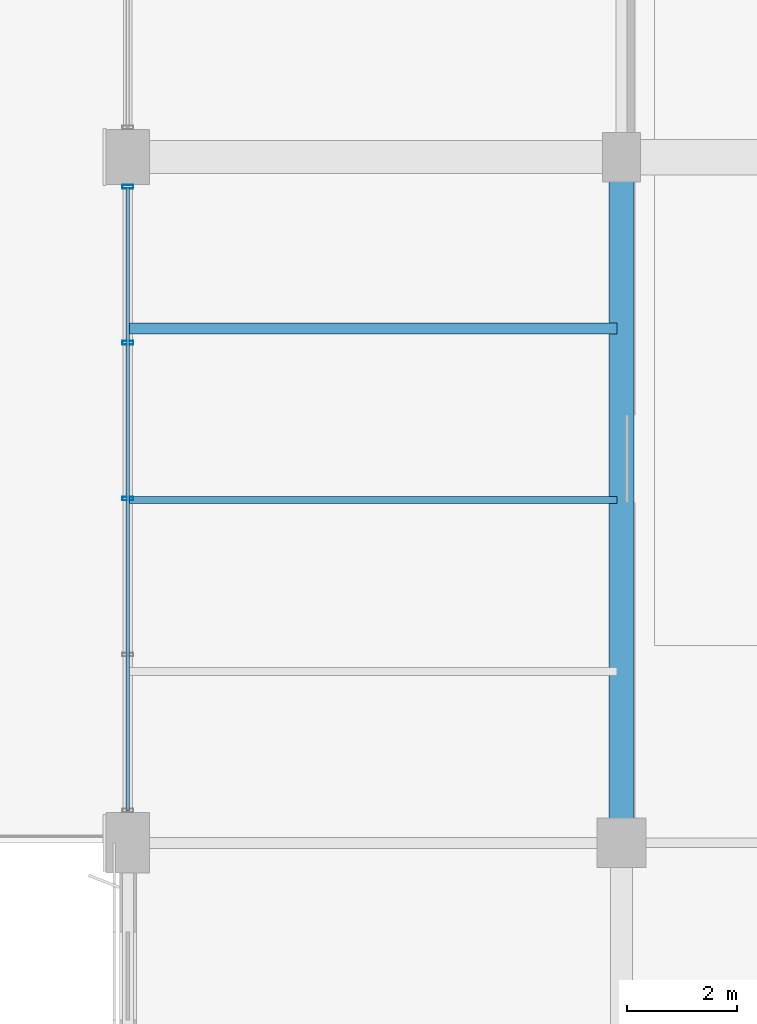
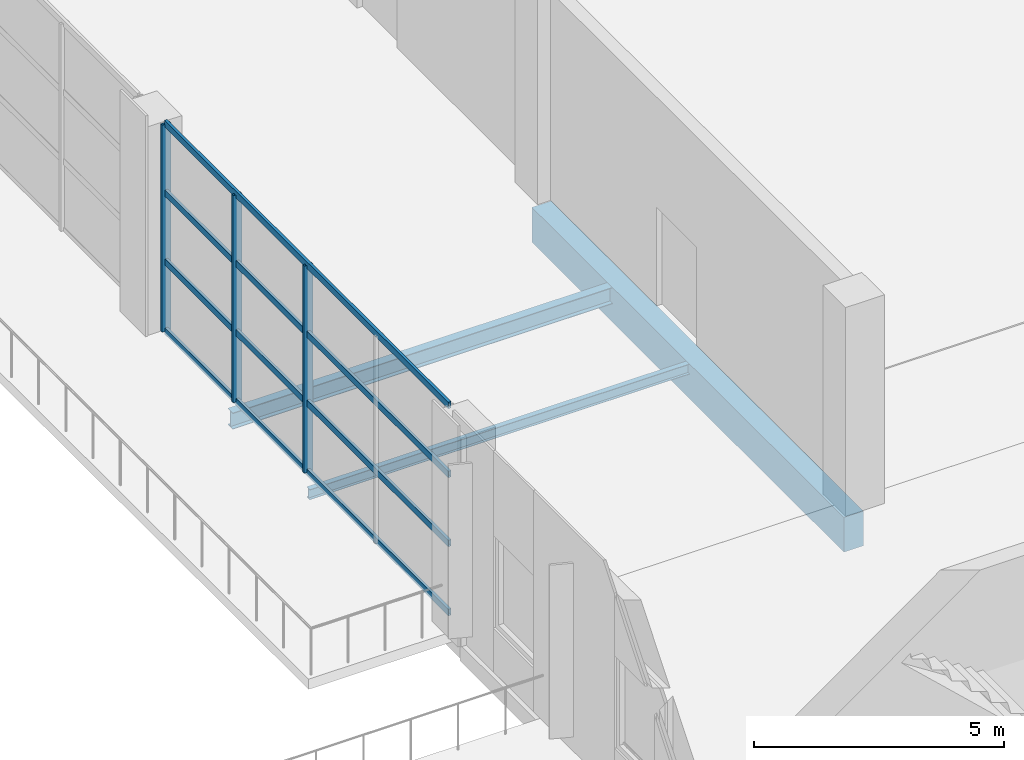
# One storey, part 41 of 90: 7 members, 3 beams, 1 element without a shape of its own.
"""IFC4 building model written with IfcOpenShell, lengths in metres."""

from ifc_helpers import new_model, si_unit, direction, frame, origin, origin_2d, place, context, subcontext, project, spatial, rectangle, hollow_rectangle, i_section, extrude, material, material_profile, profile_set, type_object, element, aggregate, save


model = new_model("IFC4")

# Units and contexts
model_context = context("Model", 3, precision=1e-05, world=origin(), true_north=direction((0.0, 1.0)))
body_context = subcontext(model_context, "Body", "Model", "MODEL_VIEW")
ifc_project = project(units=[si_unit("LENGTHUNIT", "METRE"), si_unit("AREAUNIT", "SQUARE_METRE"), si_unit("VOLUMEUNIT", "CUBIC_METRE"), si_unit("PLANEANGLEUNIT", "RADIAN"), si_unit("MASSUNIT", "GRAM", prefix="KILO")], contexts=[model_context])

# Site, building, storey
site_placement = place(None, origin())
site = spatial("IfcSite", under=ifc_project, at=site_placement, CompositionType="ELEMENT")
building_placement = place(site_placement, origin())
building = spatial("IfcBuilding", under=site, at=building_placement, Name="Solvikara Media Centre", CompositionType="ELEMENT")
storey_placement = place(building_placement, origin())
storey = spatial("IfcBuildingStorey", under=building, at=storey_placement, Name="L00", CompositionType="ELEMENT", Elevation=0.0)

# Beams
ifc_material_1 = material(Name="Concrete fc' 35 MPa (C35/45)", Category="concrete")
ifc_material_profile_1 = material_profile(ifc_material_1, rectangle(XDim=0.449951171875, YDim=0.85009765625, at=origin_2d()), Name="RC 450x850")
ifc_profile_set_1 = profile_set([ifc_material_profile_1], Name="Concrete fc' 35 MPa (C35/45)")
beam_type_1 = type_object("IfcBeamType", Name="BM-14", PredefinedType="SPANDREL", material=ifc_profile_set_1)
beam_1_placement = place(storey_placement, frame((136.5, 46.5, -0.804931640625), z_axis=(0.0, 1.0, 0.0), x_axis=(-1.0, 0.0, 0.0)))
element("IfcBeam", 1, at=beam_1_placement, inside=storey, type_object=beam_type_1, Name="B-L00-Y0206", PredefinedType="SPANDREL", context=body_context, shape_type="SweptSolid", body=[
    extrude(rectangle(XDim=0.449951171875, YDim=0.85009765625, at=origin_2d()), origin(), (0.0, 0.0, 1.0), 12.5),
])
ifc_material_2 = material(Name="Steel S355JR", Category="steel")
ifc_material_profile_2 = material_profile(ifc_material_2, i_section(OverallWidth=0.199951171875, OverallDepth=0.39990234375, WebThickness=0.008056640625, FlangeThickness=0.012939453125, at=origin_2d()), Name="WF 400x200x8x13")
ifc_profile_set_2 = profile_set([ifc_material_profile_2], Name="Steel S355JR")
beam_type_2 = type_object("IfcBeamType", Name="BM-21", PredefinedType="JOIST", material=ifc_profile_set_2)
beam_2_placement = place(storey_placement, frame((127.5, 55.875, -0.58203125), z_axis=(1.0, 0.0, 0.0), x_axis=(0.0, 1.0, 0.0)))
element("IfcBeam", 2, at=beam_2_placement, inside=storey, type_object=beam_type_2, Name="J-L00-0385", PredefinedType="JOIST", context=body_context, shape_type="SweptSolid", body=[
    extrude(i_section(OverallWidth=0.199951171875, OverallDepth=0.39990234375, WebThickness=0.008056640625, FlangeThickness=0.012939453125, at=origin_2d()), origin(), (0.0, 0.0, 1.0), 8.922119140625),
])
ifc_material_profile_3 = material_profile(ifc_material_2, i_section(OverallWidth=0.1240234375, OverallDepth=0.248046875, WebThickness=0.0048828125, FlangeThickness=0.008056640625, at=origin_2d()), Name="WF 248x124x5x8")
ifc_profile_set_3 = profile_set([ifc_material_profile_3], Name="Steel S355JR")
beam_type_3 = type_object("IfcBeamType", Name="BM-40", PredefinedType="JOIST", material=ifc_profile_set_3)
beam_3_placement = place(storey_placement, frame((127.5, 52.75, -0.506103515625), z_axis=(1.0, 0.0, 0.0), x_axis=(0.0, 1.0, 0.0)))
element("IfcBeam", 3, at=beam_3_placement, inside=storey, type_object=beam_type_3, Name="J-L00-0384", PredefinedType="JOIST", context=body_context, shape_type="SweptSolid", body=[
    extrude(i_section(OverallWidth=0.1240234375, OverallDepth=0.248046875, WebThickness=0.0048828125, FlangeThickness=0.008056640625, at=origin_2d()), origin(), (0.0, 0.0, 1.0), 8.922119140625),
])

# Curtain wall, members
ifc_material_3 = material(Name="Anodised aluminium EN AW-6063", Category="aluminium")
curtain_wall_type = type_object("IfcCurtainWallType", Name="CW-11", PredefinedType="NOTDEFINED", material=ifc_material_3)
curtain_wall_placement = place(storey_placement, origin())
curtain_wall = element("IfcCurtainWall", 4, at=curtain_wall_placement, inside=storey, type_object=curtain_wall_type, Name="CW-L00-V2W-1-S1", PredefinedType="NOTDEFINED")
ifc_material_profile_4 = material_profile(ifc_material_3, hollow_rectangle(XDim=0.06494140625, YDim=0.199951171875, WallThickness=0.00390625, at=origin_2d()), Name="ALU-M 65x200x4")
ifc_profile_set_4 = profile_set([ifc_material_profile_4], Name="Anodised aluminium EN AW-6063")
member_type_1 = type_object("IfcMemberType", Name="MF-02", PredefinedType="MULLION", material=ifc_profile_set_4)
member_1_placement = place(storey_placement, frame((127.5, 52.77490234375, 0.02001953125), z_axis=(0.0, 0.0, 1.0), x_axis=(0.0, 1.0, 0.0)))
member_1 = element("IfcMember", 5, at=member_1_placement, type_object=member_type_1, Name="CW-L00-V2W-1-S1-M02", PredefinedType="MULLION", context=body_context, shape_type="SweptSolid", body=[
    extrude(hollow_rectangle(XDim=0.06494140625, YDim=0.199951171875, WallThickness=0.00390625, at=origin_2d()), origin(), (0.0, 0.0, 1.0), 5.06005859375),
])
member_2_placement = place(storey_placement, frame((127.5, 55.616943359375, 0.02001953125), z_axis=(0.0, 0.0, 1.0), x_axis=(0.0, 1.0, 0.0)))
member_2 = element("IfcMember", 6, at=member_2_placement, type_object=member_type_1, Name="CW-L00-V2W-1-S1-M03", PredefinedType="MULLION", context=body_context, shape_type="SweptSolid", body=[
    extrude(hollow_rectangle(XDim=0.06494140625, YDim=0.199951171875, WallThickness=0.00390625, at=origin_2d()), origin(), (0.0, 0.0, 1.0), 5.06005859375),
])
member_3_placement = place(storey_placement, frame((127.5, 58.4599609375, 0.02001953125), z_axis=(0.0, 0.0, 1.0), x_axis=(0.0, 1.0, 0.0)))
member_3 = element("IfcMember", 7, at=member_3_placement, type_object=member_type_1, Name="CW-L00-V2W-1-S1-M04", PredefinedType="MULLION", context=body_context, shape_type="SweptSolid", body=[
    extrude(hollow_rectangle(XDim=0.06494140625, YDim=0.199951171875, WallThickness=0.00390625, at=origin_2d()), origin(), (0.0, 0.0, 1.0), 5.06005859375),
])
ifc_material_profile_5 = material_profile(ifc_material_3, hollow_rectangle(XDim=0.06494140625, YDim=0.159912109375, WallThickness=0.00341796875, at=origin_2d()), Name="ALU-T 65x160x3.5")
ifc_profile_set_5 = profile_set([ifc_material_profile_5], Name="Anodised aluminium EN AW-6063")
member_type_2 = type_object("IfcMemberType", Name="MF-08", PredefinedType="USERDEFINED", material=ifc_profile_set_5)
member_4_placement = place(storey_placement, frame((127.5, 47.090087890625, 0.02001953125), z_axis=(0.0, 1.0, 0.0), x_axis=(-1.0, 0.0, 0.0)))
member_4 = element("IfcMember", 8, at=member_4_placement, type_object=member_type_2, Name="CW-L00-V2W-1-S1-T00", ObjectType="TRANSOM", PredefinedType="USERDEFINED", context=body_context, shape_type="SweptSolid", body=[
    extrude(hollow_rectangle(XDim=0.06494140625, YDim=0.159912109375, WallThickness=0.00341796875, at=origin_2d()), origin(), (0.0, 0.0, 1.0), 11.369873046875),
])
member_5_placement = place(storey_placement, frame((127.5, 47.090087890625, 1.70703125), z_axis=(0.0, 1.0, 0.0), x_axis=(-1.0, 0.0, 0.0)))
member_5 = element("IfcMember", 9, at=member_5_placement, type_object=member_type_2, Name="CW-L00-V2W-1-S1-T01", ObjectType="TRANSOM", PredefinedType="USERDEFINED", context=body_context, shape_type="SweptSolid", body=[
    extrude(hollow_rectangle(XDim=0.06494140625, YDim=0.159912109375, WallThickness=0.00341796875, at=origin_2d()), origin(), (0.0, 0.0, 1.0), 11.369873046875),
])
member_6_placement = place(storey_placement, frame((127.5, 47.090087890625, 3.39306640625), z_axis=(0.0, 1.0, 0.0), x_axis=(-1.0, 0.0, 0.0)))
member_6 = element("IfcMember", 10, at=member_6_placement, type_object=member_type_2, Name="CW-L00-V2W-1-S1-T02", ObjectType="TRANSOM", PredefinedType="USERDEFINED", context=body_context, shape_type="SweptSolid", body=[
    extrude(hollow_rectangle(XDim=0.06494140625, YDim=0.159912109375, WallThickness=0.00341796875, at=origin_2d()), origin(), (0.0, 0.0, 1.0), 11.369873046875),
])
member_7_placement = place(storey_placement, frame((127.5, 47.090087890625, 5.080078125), z_axis=(0.0, 1.0, 0.0), x_axis=(-1.0, 0.0, 0.0)))
member_7 = element("IfcMember", 11, at=member_7_placement, type_object=member_type_2, Name="CW-L00-V2W-1-S1-T03", ObjectType="TRANSOM", PredefinedType="USERDEFINED", context=body_context, shape_type="SweptSolid", body=[
    extrude(hollow_rectangle(XDim=0.06494140625, YDim=0.159912109375, WallThickness=0.00341796875, at=origin_2d()), origin(), (0.0, 0.0, 1.0), 11.369873046875),
])
aggregate(curtain_wall, [member_1, member_2, member_3, member_4, member_5, member_6, member_7])

save(model, "model.ifc")
